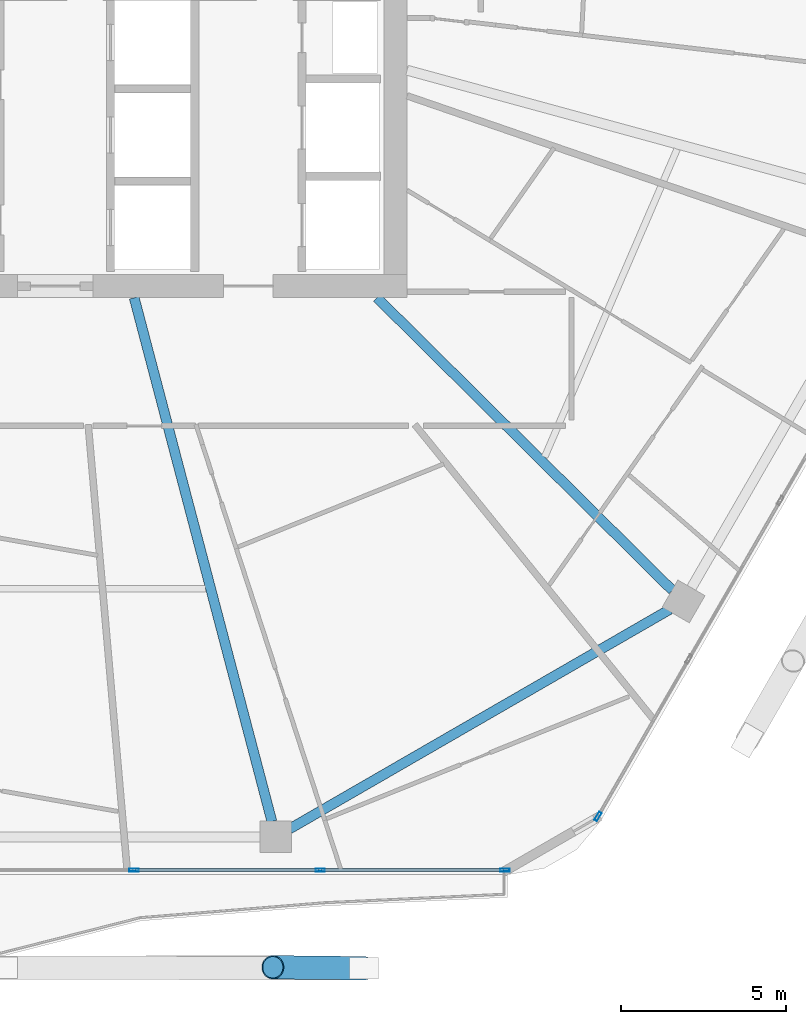
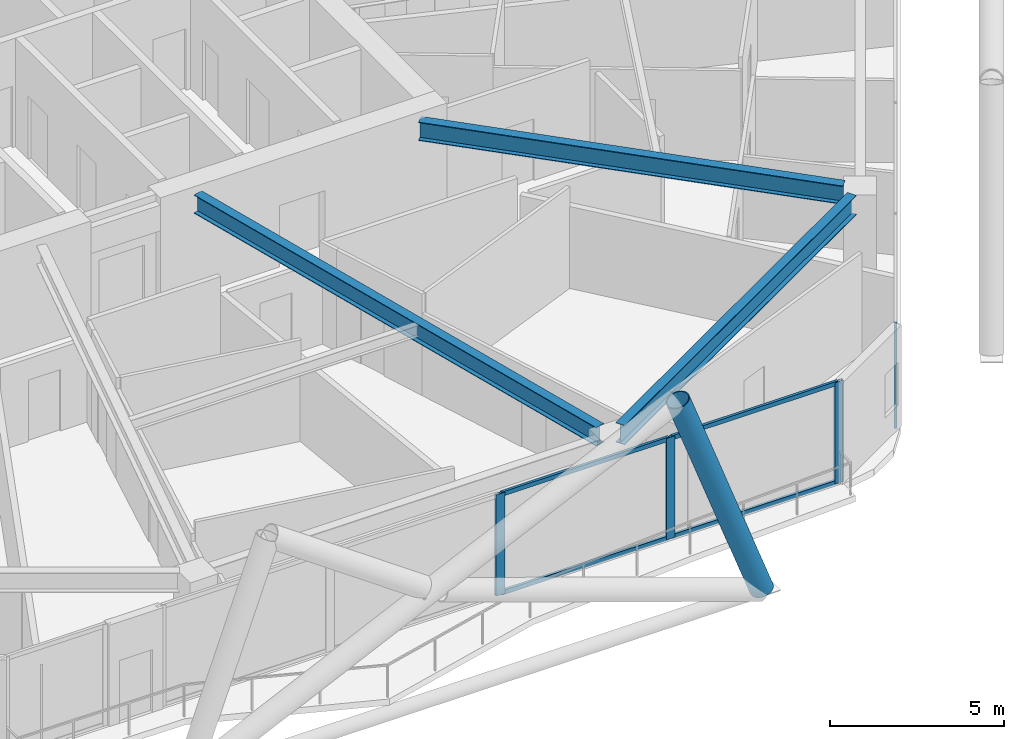
# One storey, part 7 of 28: 9 members, 3 beams, 2 elements without a shape of their own.
"""IFC4 building model written with IfcOpenShell, lengths in metres."""

from ifc_helpers import new_model, si_unit, direction, frame, origin, origin_2d, place, context, subcontext, project, spatial, hollow_rectangle, hollow_circle, i_section, extrude, material, material_profile, profile_set, type_object, element, aggregate, save


model = new_model("IFC4")

# Units and contexts
model_context = context("Model", 3, precision=1e-05, world=origin(), true_north=direction((0.0, 1.0)))
body_context = subcontext(model_context, "Body", "Model", "MODEL_VIEW")
ifc_project = project(units=[si_unit("LENGTHUNIT", "METRE"), si_unit("AREAUNIT", "SQUARE_METRE"), si_unit("VOLUMEUNIT", "CUBIC_METRE"), si_unit("PLANEANGLEUNIT", "RADIAN"), si_unit("MASSUNIT", "GRAM", prefix="KILO")], contexts=[model_context])

# Site, building, storey
site_placement = place(None, origin())
site = spatial("IfcSite", under=ifc_project, at=site_placement, CompositionType="ELEMENT")
building_placement = place(site_placement, origin())
building = spatial("IfcBuilding", under=site, at=building_placement, Name="Zuhravey Tower", CompositionType="ELEMENT")
storey_placement = place(building_placement, frame((0.0, 0.0, 207.39990234375)))
storey = spatial("IfcBuildingStorey", under=building, at=storey_placement, Name="L52", CompositionType="ELEMENT", Elevation=207.39990234375)

# Curtain wall, member
ifc_material_1 = material(Name="Thermally broken anodised aluminium", Category="aluminium")
curtain_wall_type = type_object("IfcCurtainWallType", Name="Zone 1-2 Residential Curtain Wall CW3", PredefinedType="NOTDEFINED", material=ifc_material_1)
curtain_wall_1_placement = place(storey_placement, origin())
curtain_wall_1 = element("IfcCurtainWall", 1, at=curtain_wall_1_placement, inside=storey, type_object=curtain_wall_type, Name="L52 CW3 CW-L52-F6-1", PredefinedType="NOTDEFINED")
ifc_material_2 = material(Name="Anodised aluminium", Category="aluminium")
ifc_material_profile_1 = material_profile(ifc_material_2, hollow_rectangle(XDim=0.090087890625, YDim=0.284912109375, WallThickness=0.0048828125, at=origin_2d()), Name="ALU-RHS-90x285x5")
ifc_profile_set_1 = profile_set([ifc_material_profile_1], Name="Anodised aluminium")
member_type_1 = type_object("IfcMemberType", Name="Curtain-Wall Mullion 90x180", PredefinedType="MULLION", material=ifc_profile_set_1)
member_1_placement = place(storey_placement, frame((52.63330078125, 6.443359375, 0.0), z_axis=(0.0, 0.0, 1.0), x_axis=(0.866025138215, -0.500000459979, 0.0)))
member_1 = element("IfcMember", 2, at=member_1_placement, type_object=member_type_1, Name="CW3 mullion 6", PredefinedType="MULLION", context=body_context, shape_type="SweptSolid", body=[
    extrude(hollow_rectangle(XDim=0.090087890625, YDim=0.284912109375, WallThickness=0.0048828125, at=origin_2d()), origin(), (0.0, 0.0, 1.0), 3.550048828125),
])
aggregate(curtain_wall_1, [member_1])

# Curtain wall, members
curtain_wall_2_placement = place(storey_placement, origin())
curtain_wall_2 = element("IfcCurtainWall", 3, at=curtain_wall_2_placement, inside=storey, type_object=curtain_wall_type, Name="L52 CW3 CW-L52-F5-1", PredefinedType="NOTDEFINED")
member_2_placement = place(storey_placement, frame((49.816162109375, 4.81689453125, 0.0), z_axis=(0.0, 0.0, 1.0), x_axis=(0.0, -1.0, 0.0)))
member_2 = element("IfcMember", 4, at=member_2_placement, type_object=member_type_1, Name="CW3 mullion 1", PredefinedType="MULLION", context=body_context, shape_type="SweptSolid", body=[
    extrude(hollow_rectangle(XDim=0.090087890625, YDim=0.284912109375, WallThickness=0.0048828125, at=origin_2d()), origin(), (0.0, 0.0, 1.0), 3.550048828125),
])
member_3_placement = place(storey_placement, frame((44.22314453125, 4.81689453125, 0.0), z_axis=(0.0, 0.0, 1.0), x_axis=(0.0, -1.0, 0.0)))
member_3 = element("IfcMember", 5, at=member_3_placement, type_object=member_type_1, Name="CW3 mullion 2", PredefinedType="MULLION", context=body_context, shape_type="SweptSolid", body=[
    extrude(hollow_rectangle(XDim=0.090087890625, YDim=0.284912109375, WallThickness=0.0048828125, at=origin_2d()), origin(), (0.0, 0.0, 1.0), 3.550048828125),
])
member_4_placement = place(storey_placement, frame((38.585205078125, 4.81689453125, 0.0), z_axis=(0.0, 0.0, 1.0), x_axis=(0.0, -1.0, 0.0)))
member_4 = element("IfcMember", 6, at=member_4_placement, type_object=member_type_1, Name="CW3 mullion 3", PredefinedType="MULLION", context=body_context, shape_type="SweptSolid", body=[
    extrude(hollow_rectangle(XDim=0.090087890625, YDim=0.284912109375, WallThickness=0.0048828125, at=origin_2d()), origin(), (0.0, 0.0, 1.0), 3.550048828125),
])
ifc_material_profile_2 = material_profile(ifc_material_2, hollow_rectangle(XDim=0.090087890625, YDim=0.14990234375, WallThickness=0.0048828125, at=origin_2d()), Name="ALU-RHS-90x150x5")
ifc_profile_set_2 = profile_set([ifc_material_profile_2], Name="Anodised aluminium")
member_type_2 = type_object("IfcMemberType", Name="Curtain-Wall Transom 90x150", PredefinedType="USERDEFINED", material=ifc_profile_set_2)
member_5_placement = place(storey_placement, frame((49.77099609375, 4.81689453125, 0.045166015625), z_axis=(-1.0, 0.0, 0.0), x_axis=(0.0, -1.0, 0.0)))
member_5 = element("IfcMember", 7, at=member_5_placement, type_object=member_type_2, Name="CW3 transom 1.1", ObjectType="TRANSOM", PredefinedType="USERDEFINED", context=body_context, shape_type="SweptSolid", body=[
    extrude(hollow_rectangle(XDim=0.090087890625, YDim=0.14990234375, WallThickness=0.0048828125, at=origin_2d()), origin(), (0.0, 0.0, 1.0), 5.5029296875),
])
member_6_placement = place(storey_placement, frame((49.77099609375, 4.81689453125, 3.505126953125), z_axis=(-1.0, 0.0, 0.0), x_axis=(0.0, -1.0, 0.0)))
member_6 = element("IfcMember", 8, at=member_6_placement, type_object=member_type_2, Name="CW3 transom 1.2", ObjectType="TRANSOM", PredefinedType="USERDEFINED", context=body_context, shape_type="SweptSolid", body=[
    extrude(hollow_rectangle(XDim=0.090087890625, YDim=0.14990234375, WallThickness=0.0048828125, at=origin_2d()), origin(), (0.0, 0.0, 1.0), 5.5029296875),
])
member_7_placement = place(storey_placement, frame((44.17822265625, 4.81689453125, 0.045166015625), z_axis=(-1.0, 0.0, 0.0), x_axis=(0.0, -1.0, 0.0)))
member_7 = element("IfcMember", 9, at=member_7_placement, type_object=member_type_2, Name="CW3 transom 2.1", ObjectType="TRANSOM", PredefinedType="USERDEFINED", context=body_context, shape_type="SweptSolid", body=[
    extrude(hollow_rectangle(XDim=0.090087890625, YDim=0.14990234375, WallThickness=0.0048828125, at=origin_2d()), origin(), (0.0, 0.0, 1.0), 5.548095703125),
])
member_8_placement = place(storey_placement, frame((44.17822265625, 4.81689453125, 3.505126953125), z_axis=(-1.0, 0.0, 0.0), x_axis=(0.0, -1.0, 0.0)))
member_8 = element("IfcMember", 10, at=member_8_placement, type_object=member_type_2, Name="CW3 transom 2.2", ObjectType="TRANSOM", PredefinedType="USERDEFINED", context=body_context, shape_type="SweptSolid", body=[
    extrude(hollow_rectangle(XDim=0.090087890625, YDim=0.14990234375, WallThickness=0.0048828125, at=origin_2d()), origin(), (0.0, 0.0, 1.0), 5.548095703125),
])
aggregate(curtain_wall_2, [member_2, member_3, member_4, member_5, member_6, member_7, member_8])

# Member
ifc_material_3 = material(Name="Steel SM460", Category="steel")
ifc_material_profile_3 = material_profile(ifc_material_3, hollow_circle(Radius=0.355712890625, WallThickness=0.031982421875, at=origin_2d()), Name="CHS-711.2x32")
ifc_profile_set_3 = profile_set([ifc_material_profile_3], Name="Steel SM460")
member_type_3 = type_object("IfcMemberType", Name="Exoskeleton Zone 2 Diagrid CHS711x32", PredefinedType="BRACE", material=ifc_profile_set_3)
member_9_placement = place(storey_placement, frame((45.547607421875, 1.846923828125, -0.44384765625), z_axis=(-0.342856044852, 0.003700976595, 0.939380665801), x_axis=(-0.010793920789, -0.99994174394, 0.0)))
element("IfcMember", 11, at=member_9_placement, inside=storey, type_object=member_type_3, Name="L52 Face 5 Diagrid Brace 4", PredefinedType="BRACE", context=body_context, shape_type="SweptSolid", body=[
    extrude(hollow_circle(Radius=0.355712890625, WallThickness=0.031982421875, at=origin_2d()), origin(), (0.0, 0.0, 1.0), 8.0478515625),
])

# Beams
ifc_material_4 = material(Name="Steel SM355", Category="steel")
ifc_material_profile_4 = material_profile(ifc_material_4, i_section(OverallWidth=0.300048828125, OverallDepth=0.679931640625, WebThickness=0.012939453125, FlangeThickness=0.02197265625, at=origin_2d()), Name="H-680x300x13x22")
ifc_profile_set_4 = profile_set([ifc_material_profile_4], Name="Steel SM355")
beam_type_1 = type_object("IfcBeamType", Name="Perimeter Ring Beam H680x300", PredefinedType="BEAM", material=ifc_profile_set_4)
beam_1_placement = place(storey_placement, frame((43.2958984375, 6.06591796875, 3.210205078125), z_axis=(0.866029041019, 0.499993700073, 0.0), x_axis=(-0.499993700073, 0.866029041019, 0.0)))
element("IfcBeam", 12, at=beam_1_placement, inside=storey, type_object=beam_type_1, Name="L52 PB2 BM-L52-PB-10", PredefinedType="BEAM", context=body_context, shape_type="SweptSolid", body=[
    extrude(i_section(OverallWidth=0.300048828125, OverallDepth=0.679931640625, WebThickness=0.012939453125, FlangeThickness=0.02197265625, at=origin_2d()), origin(), (0.0, 0.0, 1.0), 13.297119140625),
])
ifc_material_profile_5 = material_profile(ifc_material_4, i_section(OverallWidth=0.300048828125, OverallDepth=0.64990234375, WebThickness=0.012939453125, FlangeThickness=0.02197265625, at=origin_2d()), Name="H-650x300x13x22")
ifc_profile_set_5 = profile_set([ifc_material_profile_5], Name="Steel SM355")
beam_type_2 = type_object("IfcBeamType", Name="Radial Primary Girder H650x300", PredefinedType="BEAM", material=ifc_profile_set_5)
beam_2_placement = place(storey_placement, frame((38.5908203125, 22.14697265625, 3.22509765625), z_axis=(0.254299806285, -0.967125435775, 0.0), x_axis=(0.967125435775, 0.254299806285, 0.0)))
element("IfcBeam", 13, at=beam_2_placement, inside=storey, type_object=beam_type_2, Name="L52 RG2 BM-L52-RAD-10", PredefinedType="BEAM", context=body_context, shape_type="SweptSolid", body=[
    extrude(i_section(OverallWidth=0.300048828125, OverallDepth=0.64990234375, WebThickness=0.012939453125, FlangeThickness=0.02197265625, at=origin_2d()), origin(), (0.0, 0.0, 1.0), 16.396728515625),
])
beam_3_placement = place(storey_placement, frame((45.945556640625, 22.14697265625, 3.22509765625), z_axis=(0.710406645816, -0.703791444663, 0.0), x_axis=(0.703791444663, 0.710406645816, 0.0)))
element("IfcBeam", 14, at=beam_3_placement, inside=storey, type_object=beam_type_2, Name="L52 RG2 BM-L52-RAD-11", PredefinedType="BEAM", context=body_context, shape_type="SweptSolid", body=[
    extrude(i_section(OverallWidth=0.300048828125, OverallDepth=0.64990234375, WebThickness=0.012939453125, FlangeThickness=0.02197265625, at=origin_2d()), origin(), (0.0, 0.0, 1.0), 12.5849609375),
])

save(model, "model.ifc")
